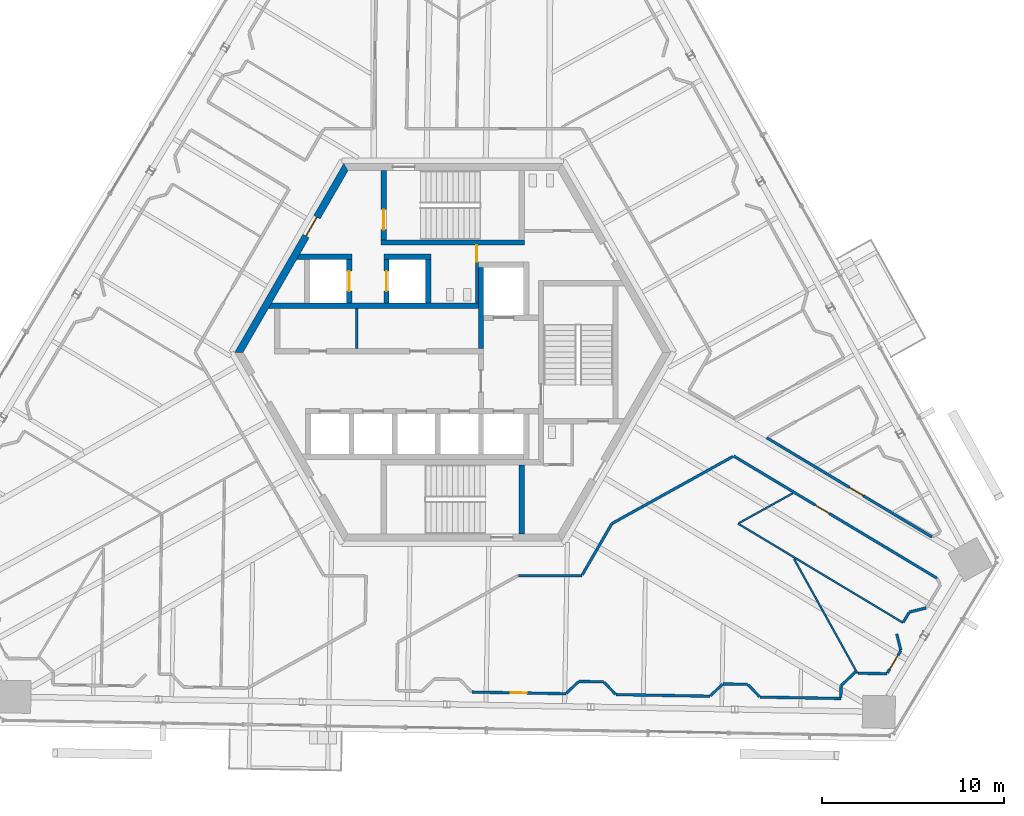
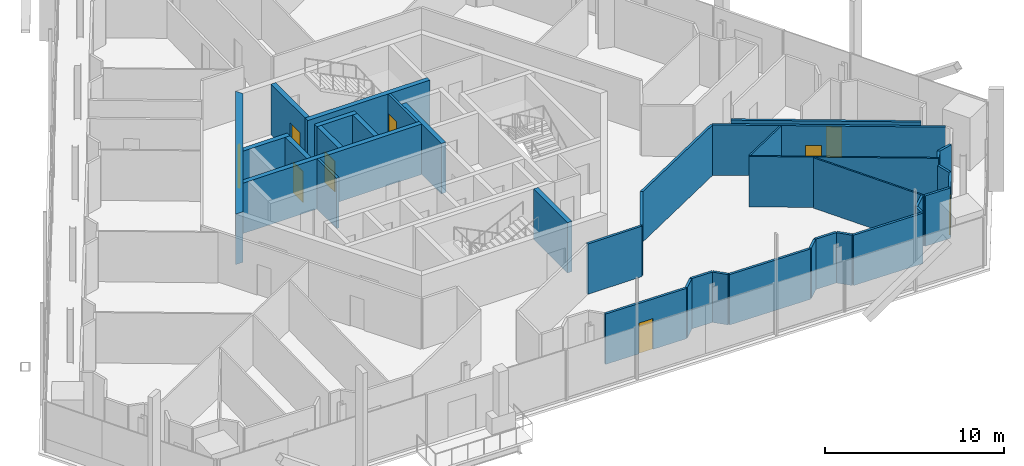
# One storey, part 13 of 22: 37 walls, 9 doors, 9 openings.
"""IFC4 building model written with IfcOpenShell, lengths in metres."""

from ifc_helpers import new_model, si_unit, direction, frame, frame_2d, origin, place, context, subcontext, project, spatial, polyline, rectangle, outline, extrude, source, transform, mapped, material, layer, layer_set, type_object, element, fill, save


model = new_model("IFC4")

# Units and contexts
model_context = context("Model", 3, precision=1e-05, world=origin(), true_north=direction((0.0, 1.0)))
body_context = subcontext(model_context, "Body", "Model", "MODEL_VIEW")
ifc_project = project(units=[si_unit("LENGTHUNIT", "METRE"), si_unit("AREAUNIT", "SQUARE_METRE"), si_unit("VOLUMEUNIT", "CUBIC_METRE"), si_unit("PLANEANGLEUNIT", "RADIAN"), si_unit("MASSUNIT", "GRAM", prefix="KILO")], contexts=[model_context])

# Site, building, storey
site_placement = place(None, origin())
site = spatial("IfcSite", under=ifc_project, at=site_placement, CompositionType="ELEMENT")
building_placement = place(site_placement, origin())
building = spatial("IfcBuilding", under=site, at=building_placement, Name="Triune Harvest Tower", CompositionType="ELEMENT")
storey_placement = place(building_placement, frame((0.0, 0.0, 208.699951171875)))
storey = spatial("IfcBuildingStorey", under=building, at=storey_placement, Name="L54", CompositionType="ELEMENT", Elevation=208.699951171875)

# Wall, opening, door
ifc_material_1 = material(Name="Gypsum board on steel studs", Category="steel")
ifc_layer_1 = layer(ifc_material_1, 0.14990234375)
ifc_layer_set_1 = layer_set([ifc_layer_1], Name="Gypsum board on steel studs")
wall_type_1 = type_object("IfcWallType", Name="Fire Partition 150 mm", PredefinedType="PARTITIONING", material=ifc_layer_set_1)
wall_1_placement = place(storey_placement, frame((15.454345703125, -5.71142578125, 0.0), z_axis=(0.0, 0.0, 1.0), x_axis=(0.857162478367, -0.515046100538, 0.0)))
wall_1 = element("IfcWall", 1, at=wall_1_placement, inside=storey, type_object=wall_type_1, Name="Partition L54 041", PredefinedType="PARTITIONING", context=body_context, shape_type="SweptSolid", body=[
    extrude(rectangle(XDim=13.044921875, YDim=0.14990234375, at=frame_2d((6.5224609375, 0.0))), origin(), (0.0, 0.0, 1.0), 3.43994140625),
])
opening_1_placement = place(wall_1_placement, frame((5.2373046875, 0.0, 0.0)))
opening_1 = element("IfcOpeningElement", 2, at=opening_1_placement, cuts=wall_1, Name="Opening L54-025", PredefinedType="OPENING", context=body_context, shape_type="SweptSolid", body=[
    extrude(rectangle(XDim=0.89990234375, YDim=2.10009765625, at=frame_2d((0.449951171875, 1.050048828125))), frame((0.0, 0.0849609375, 0.0), z_axis=(0.0, -1.0, 0.0), x_axis=(1.0, 0.0, 0.0)), (0.0, 0.0, 1.0), 0.169921875),
])
ifc_material_2 = material(Name="Timber and steel door set", Category="steel")
door_type_1 = type_object("IfcDoorType", Name="Single leaf door FD30 right hand 900 x 2100", OperationType="SINGLE_SWING_RIGHT", PredefinedType="DOOR", material=ifc_material_2)
door_1_placement = place(opening_1_placement, origin())
door_1 = element("IfcDoor", 3, at=door_1_placement, inside=storey, type_object=door_type_1, Name="Door L54-025 Meeting Room 54.25", OperationType="SINGLE_SWING_RIGHT", OverallHeight=2.10009765625, OverallWidth=0.89990234375, PredefinedType="DOOR", context=body_context, shape_type="SweptSolid", body=[
    extrude(rectangle(XDim=0.89990234375, YDim=2.10009765625, at=frame_2d((0.449951171875, 1.050048828125))), frame((0.0, 0.02490234375, 0.0), z_axis=(0.0, -1.0, 0.0), x_axis=(1.0, 0.0, 0.0)), (0.0, 0.0, 1.0), 0.050048828125),
])
fill(opening_1, door_1)

wall_2_placement = place(storey_placement, frame((17.272216796875, -4.7041015625, 0.0), z_axis=(0.0, 0.0, 1.0), x_axis=(0.857169939622, -0.515033682985, 0.0)))
wall_2 = element("IfcWall", 4, at=wall_2_placement, inside=storey, type_object=wall_type_1, Name="Partition L54 044", PredefinedType="PARTITIONING", context=body_context, shape_type="SweptSolid", body=[
    extrude(rectangle(XDim=10.610107421875, YDim=0.14990234375, at=frame_2d((5.30517578125, 0.0))), origin(), (0.0, 0.0, 1.0), 2.51806640625),
])
opening_2_placement = place(wall_2_placement, frame((5.298828125, 0.0, 0.0)))
opening_2 = element("IfcOpeningElement", 5, at=opening_2_placement, cuts=wall_2, Name="Opening L54-001", PredefinedType="OPENING", context=body_context, shape_type="SweptSolid", body=[
    extrude(rectangle(XDim=0.89990234375, YDim=2.10009765625, at=frame_2d((0.449951171875, 1.050048828125))), frame((0.0, 0.0849609375, 0.0), z_axis=(0.0, -1.0, 0.0), x_axis=(1.0, 0.0, 0.0)), (0.0, 0.0, 1.0), 0.169921875),
])
door_2_placement = place(opening_2_placement, origin())
door_2 = element("IfcDoor", 6, at=door_2_placement, inside=storey, type_object=door_type_1, Name="Door L54-001 Office 54.01", OperationType="SINGLE_SWING_RIGHT", OverallHeight=2.10009765625, OverallWidth=0.89990234375, PredefinedType="DOOR", context=body_context, shape_type="SweptSolid", body=[
    extrude(rectangle(XDim=0.89990234375, YDim=2.10009765625, at=frame_2d((0.449951171875, 1.050048828125))), frame((0.0, 0.02490234375, 0.0), z_axis=(0.0, -1.0, 0.0), x_axis=(1.0, 0.0, 0.0)), (0.0, 0.0, 1.0), 0.050048828125),
])
fill(opening_2, door_2)

# Walls
wall_3_placement = place(storey_placement, frame((3.602294921875, -12.292236328125, 0.0), z_axis=(0.0, 0.0, 1.0), x_axis=(1.0, 0.0, 0.0)))
element("IfcWall", 7, at=wall_3_placement, inside=storey, type_object=wall_type_1, Name="Partition L54 072", PredefinedType="PARTITIONING", context=body_context, shape_type="SweptSolid", body=[
    extrude(rectangle(XDim=3.49462890625, YDim=0.14990234375, at=frame_2d((1.747314453125, 0.0))), origin(), (0.0, 0.0, 1.0), 3.43994140625),
])
wall_4_placement = place(storey_placement, frame((8.751220703125, -9.42724609375, 0.0), z_axis=(0.0, 0.0, 1.0), x_axis=(0.874610647521, 0.48482596387, 0.0)))
element("IfcWall", 8, at=wall_4_placement, inside=storey, type_object=wall_type_1, Name="Partition L54 085", PredefinedType="PARTITIONING", context=body_context, shape_type="SweptSolid", body=[
    extrude(rectangle(XDim=7.61376953125, YDim=0.14990234375, at=frame_2d((3.806884765625, 0.0))), origin(), (0.0, 0.0, 1.0), 3.43994140625),
])
wall_5_placement = place(storey_placement, frame((21.359619140625, -18.351318359375, 0.0), z_axis=(0.0, 0.0, 1.0), x_axis=(0.71939389991, 0.694602344347, 0.0)))
element("IfcWall", 9, at=wall_5_placement, inside=storey, type_object=wall_type_1, Name="Partition L54 095", PredefinedType="PARTITIONING", context=body_context, shape_type="SweptSolid", body=[
    extrude(rectangle(XDim=1.11279296875, YDim=0.14990234375, at=frame_2d((0.556396484375, 0.0))), origin(), (0.0, 0.0, 1.0), 3.43994140625),
])

# Wall, opening, door
wall_6_placement = place(storey_placement, frame((23.912109375, -17.646484375, 0.0), z_axis=(0.0, 0.0, 1.0), x_axis=(0.514970243734, 0.857208054132, 0.0)))
wall_6 = element("IfcWall", 10, at=wall_6_placement, inside=storey, type_object=wall_type_1, Name="Partition L54 101", PredefinedType="PARTITIONING", context=body_context, shape_type="SweptSolid", body=[
    extrude(rectangle(XDim=1.4375, YDim=0.14990234375, at=frame_2d((0.71875, 0.0))), origin(), (0.0, 0.0, 1.0), 3.43994140625),
])
opening_3_placement = place(wall_6_placement, frame((0.237060546875, 0.0, 0.0)))
opening_3 = element("IfcOpeningElement", 11, at=opening_3_placement, cuts=wall_6, Name="Opening L54-024", PredefinedType="OPENING", context=body_context, shape_type="SweptSolid", body=[
    extrude(rectangle(XDim=0.89990234375, YDim=2.10009765625, at=frame_2d((0.449951171875, 1.050048828125))), frame((0.0, 0.0849609375, 0.0), z_axis=(0.0, -1.0, 0.0), x_axis=(1.0, 0.0, 0.0)), (0.0, 0.0, 1.0), 0.169921875),
])
ifc_material_3 = material(Name="Timber and steel door set", Category="steel")
door_type_2 = type_object("IfcDoorType", Name="Single leaf door FD30 left hand 900 x 2100", OperationType="SINGLE_SWING_LEFT", PredefinedType="DOOR", material=ifc_material_3)
door_3_placement = place(opening_3_placement, origin())
door_3 = element("IfcDoor", 12, at=door_3_placement, inside=storey, type_object=door_type_2, Name="Door L54-024 Pantry 54.24", OperationType="SINGLE_SWING_LEFT", OverallHeight=2.10009765625, OverallWidth=0.89990234375, PredefinedType="DOOR", context=body_context, shape_type="SweptSolid", body=[
    extrude(rectangle(XDim=0.89990234375, YDim=2.10009765625, at=frame_2d((0.449951171875, 1.050048828125))), frame((0.0, 0.02490234375, 0.0), z_axis=(0.0, -1.0, 0.0), x_axis=(1.0, 0.0, 0.0)), (0.0, 0.0, 1.0), 0.050048828125),
])
fill(opening_3, door_3)

# Walls
wall_7_placement = place(storey_placement, frame((24.78173828125, -14.861572265625, 0.0), z_axis=(0.0, 0.0, 1.0), x_axis=(0.514951190303, 0.857219500248, 0.0)))
element("IfcWall", 13, at=wall_7_placement, inside=storey, type_object=wall_type_1, Name="Partition L54 103", PredefinedType="PARTITIONING", context=body_context, shape_type="SweptSolid", body=[
    extrude(rectangle(XDim=0.630615234375, YDim=0.14990234375, at=frame_2d((0.3154296875, 0.0))), origin(), (0.0, 0.0, 1.0), 3.43994140625),
])
wall_8_placement = place(storey_placement, frame((7.122314453125, -12.248779296875, 0.0), z_axis=(0.0, 0.0, 1.0), x_axis=(0.500031372725, 0.866007289976, 0.0)))
element("IfcWall", 14, at=wall_8_placement, inside=storey, type_object=wall_type_1, Name="Partition L54 118", PredefinedType="PARTITIONING", context=body_context, shape_type="SweptSolid", body=[
    extrude(rectangle(XDim=3.238037109375, YDim=0.14990234375, at=frame_2d((1.619140625, 0.0))), origin(), (0.0, 0.0, 1.0), 3.43994140625),
])
wall_9_placement = place(storey_placement, frame((21.348388671875, -18.99267578125, 0.0), z_axis=(0.0, 0.0, 1.0), x_axis=(0.017569172767, 0.999845650172, 0.0)))
element("IfcWall", 15, at=wall_9_placement, inside=storey, type_object=wall_type_1, Name="Partition L54 128", PredefinedType="PARTITIONING", context=body_context, shape_type="SweptSolid", body=[
    extrude(rectangle(XDim=0.611328125, YDim=0.14990234375, at=frame_2d((0.3056640625, 0.0))), origin(), (0.0, 0.0, 1.0), 3.43994140625),
])
ifc_material_4 = material(Name="Gypsum board on steel studs", Category="steel")
ifc_layer_2 = layer(ifc_material_4, 0.10009765625)
ifc_layer_set_2 = layer_set([ifc_layer_2], Name="Gypsum board on steel studs")
wall_type_2 = type_object("IfcWallType", Name="Partition 100 mm", PredefinedType="PARTITIONING", material=ifc_layer_set_2)
wall_10_placement = place(storey_placement, frame((18.772705078125, -11.367431640625, 0.0), z_axis=(0.0, 0.0, 1.0), x_axis=(0.484781400412, -0.874635349054, 0.0)))
element("IfcWall", 16, at=wall_10_placement, inside=storey, type_object=wall_type_2, Name="Partition L54 012", PredefinedType="PARTITIONING", context=body_context, shape_type="SweptSolid", body=[
    extrude(rectangle(XDim=7.196044921875, YDim=0.10009765625, at=frame_2d((3.59814453125, 0.0))), origin(), (0.0, 0.0, 1.0), 3.43994140625),
])
wall_11_placement = place(storey_placement, frame((15.6923828125, -9.428955078125, 0.0), z_axis=(0.0, 0.0, 1.0), x_axis=(0.857148930211, -0.515068647306, 0.0)))
element("IfcWall", 17, at=wall_11_placement, inside=storey, type_object=wall_type_2, Name="Partition L54 039", PredefinedType="PARTITIONING", context=body_context, shape_type="SweptSolid", body=[
    extrude(rectangle(XDim=10.589111328125, YDim=0.10009765625, at=frame_2d((5.29443359375, 0.0))), origin(), (0.0, 0.0, 1.0), 3.43994140625),
])
wall_12_placement = place(storey_placement, frame((15.753662109375, -9.39501953125, 0.0), z_axis=(0.0, 0.0, 1.0), x_axis=(0.874610323923, 0.48482654763, 0.0)))
element("IfcWall", 18, at=wall_12_placement, inside=storey, type_object=wall_type_2, Name="Partition L54 082", PredefinedType="PARTITIONING", context=body_context, shape_type="SweptSolid", body=[
    extrude(rectangle(XDim=3.3779296875, YDim=0.10009765625, at=frame_2d((1.68896484375, 0.0))), origin(), (0.0, 0.0, 1.0), 3.43994140625),
])

# Wall, opening, door
ifc_material_5 = material(Name="Concrete 70 MPa", Category="concrete")
ifc_layer_3 = layer(ifc_material_5, 0.39990234375)
ifc_layer_set_3 = layer_set([ifc_layer_3], Name="Concrete 70 MPa")
wall_type_3 = type_object("IfcWallType", Name="Core wall 400", PredefinedType="SHEAR", material=ifc_layer_set_3)
shared_shape_1 = source(origin(), body_context, "Body", "SweptSolid", [
    extrude(outline(polyline([(-0.115478515625, -0.199951171875), (11.884521484375, -0.199951171875), (11.653564453125, 0.199951171875), (0.115478515625, 0.199951171875), (-0.115478515625, -0.199951171875)])), origin(), (0.0, 0.0, 1.0), 3.43994140625),
])
wall_13_placement = place(storey_placement, frame((-5.884521484375, 10.1923828125, 0.0), z_axis=(0.0, 0.0, 1.0), x_axis=(-0.499996592174, -0.866027371285, 0.0)))
wall_13 = element("IfcWall", 19, at=wall_13_placement, inside=storey, type_object=wall_type_3, Name="Hexagon 2 wall", PredefinedType="SHEAR", context=body_context, shape_type="MappedRepresentation", body=[
    mapped(shared_shape_1, transform((0.0, 0.0, 0.0), scale=1.0)),
])
opening_4_placement = place(wall_13_placement, frame((3.1845703125, 0.0, 0.0)))
opening_4 = element("IfcOpeningElement", 20, at=opening_4_placement, cuts=wall_13, Name="Opening CD-SVP", PredefinedType="OPENING", context=body_context, shape_type="SweptSolid", body=[
    extrude(rectangle(XDim=1.199951171875, YDim=2.10009765625, at=frame_2d((0.60009765625, 1.050048828125))), frame((0.0, 0.2099609375, 0.0), z_axis=(0.0, -1.0, 0.0), x_axis=(1.0, 0.0, 0.0)), (0.0, 0.0, 1.0), 0.419921875),
])
ifc_material_6 = material(Name="Steel S235", Category="steel")
door_type_3 = type_object("IfcDoorType", Name="Service door 1200 FD120", OperationType="SINGLE_SWING_LEFT", PredefinedType="DOOR", material=ifc_material_6)
door_4_placement = place(opening_4_placement, frame((1.199951171875, 0.0, 0.0), z_axis=(0.0, 0.0, 1.0), x_axis=(-1.0, 0.0, 0.0)))
door_4 = element("IfcDoor", 21, at=door_4_placement, inside=storey, type_object=door_type_3, Name="Door CD-SVP", OperationType="SINGLE_SWING_RIGHT", OverallHeight=2.10009765625, OverallWidth=1.199951171875, PredefinedType="DOOR", context=body_context, shape_type="SweptSolid", body=[
    extrude(rectangle(XDim=1.199951171875, YDim=2.10009765625, at=frame_2d((0.60009765625, 1.050048828125))), frame((0.0, 0.02490234375, 0.0), z_axis=(0.0, -1.0, 0.0), x_axis=(1.0, 0.0, 0.0)), (0.0, 0.0, 1.0), 0.050048828125),
])
fill(opening_4, door_4)

# Walls
ifc_material_7 = material(Name="Concrete 70 MPa", Category="concrete")
ifc_layer_4 = layer(ifc_material_7, 0.300048828125)
ifc_layer_set_4 = layer_set([ifc_layer_4], Name="Concrete 70 MPa")
wall_type_4 = type_object("IfcWallType", Name="Core wall 300", PredefinedType="SHEAR", material=ifc_layer_set_4)
shared_shape_2 = source(origin(), body_context, "Body", "SweptSolid", [
    extrude(outline(polyline([(11.199951171875, -0.14990234375), (-0.34912109375, -0.14990234375), (-0.17578125, 0.14990234375), (11.199951171875, 0.14990234375), (11.199951171875, -0.14990234375)])), origin(), (0.0, 0.0, 1.0), 3.43994140625),
])
wall_14_placement = place(storey_placement, frame((-9.800048828125, 2.56005859375, 0.0), z_axis=(0.0, 0.0, 1.0), x_axis=(1.0, 0.0, 0.0)))
element("IfcWall", 22, at=wall_14_placement, inside=storey, type_object=wall_type_4, Name="North back wall", PredefinedType="SHEAR", context=body_context, shape_type="MappedRepresentation", body=[
    mapped(shared_shape_2, transform((0.0, 0.0, 0.0), scale=1.0)),
])
shared_shape_3 = source(origin(), body_context, "Body", "SweptSolid", [
    extrude(rectangle(XDim=4.449951171875, YDim=0.300048828125, at=frame_2d((2.22509765625, 0.0))), origin(), (0.0, 0.0, 1.0), 3.43994140625),
])
wall_15_placement = place(storey_placement, frame((1.550048828125, 0.2099609375, 0.0), z_axis=(0.0, 0.0, 1.0), x_axis=(0.0, 1.0, 0.0)))
element("IfcWall", 23, at=wall_15_placement, inside=storey, type_object=wall_type_4, Name="Ff1 west wall", PredefinedType="SHEAR", context=body_context, shape_type="MappedRepresentation", body=[
    mapped(shared_shape_3, transform((0.0, 0.0, 0.0), scale=1.0)),
])
shared_shape_4 = source(origin(), body_context, "Body", "SweptSolid", [
    extrude(rectangle(XDim=7.89990234375, YDim=0.300048828125, at=frame_2d((3.949951171875, 0.0))), origin(), (0.0, 0.0, 1.0), 3.43994140625),
])
wall_16_placement = place(storey_placement, frame((-3.949951171875, 6.0400390625, 0.0), z_axis=(0.0, 0.0, 1.0), x_axis=(1.0, 0.0, 0.0)))
element("IfcWall", 24, at=wall_16_placement, inside=storey, type_object=wall_type_4, Name="Stair n south wall", PredefinedType="SHEAR", context=body_context, shape_type="MappedRepresentation", body=[
    mapped(shared_shape_4, transform((0.0, 0.0, 0.0), scale=1.0)),
])

# Wall, opening, door
shared_shape_5 = source(origin(), body_context, "Body", "SweptSolid", [
    extrude(outline(polyline([(0.0, -0.14990234375), (0.0, 0.14990234375), (3.80419921875, 0.14990234375), (3.80419921875, -0.14990234375), (0.0, -0.14990234375)])), origin(), (0.0, 0.0, 1.0), 3.43994140625),
])
wall_17_placement = place(storey_placement, frame((-3.800048828125, 6.18994140625, 0.0), z_axis=(0.0, 0.0, 1.0), x_axis=(0.0, 1.0, 0.0)))
wall_17 = element("IfcWall", 25, at=wall_17_placement, inside=storey, type_object=wall_type_4, Name="Stair n west wall", PredefinedType="SHEAR", context=body_context, shape_type="MappedRepresentation", body=[
    mapped(shared_shape_5, transform((0.0, 0.0, 0.0), scale=1.0)),
])
opening_5_placement = place(wall_17_placement, frame((0.56005859375, 0.0, 0.0)))
opening_5 = element("IfcOpeningElement", 26, at=opening_5_placement, cuts=wall_17, Name="Opening CD-S1L", PredefinedType="OPENING", context=body_context, shape_type="SweptSolid", body=[
    extrude(rectangle(XDim=1.10009765625, YDim=2.10009765625, at=frame_2d((0.550048828125, 1.050048828125))), frame((0.0, 0.16015625, 0.0), z_axis=(0.0, -1.0, 0.0), x_axis=(1.0, 0.0, 0.0)), (0.0, 0.0, 1.0), 0.320068359375),
])
ifc_material_8 = material(Name="Steel S235", Category="steel")
door_type_4 = type_object("IfcDoorType", Name="Stair door 1100 FD120", OperationType="SINGLE_SWING_LEFT", PredefinedType="DOOR", material=ifc_material_8)
door_5_placement = place(opening_5_placement, frame((1.10009765625, 0.0, 0.0), z_axis=(0.0, 0.0, 1.0), x_axis=(-1.0, 0.0, 0.0)))
door_5 = element("IfcDoor", 27, at=door_5_placement, inside=storey, type_object=door_type_4, Name="Door CD-S1L", OperationType="SINGLE_SWING_RIGHT", OverallHeight=2.10009765625, OverallWidth=1.10009765625, PredefinedType="DOOR", context=body_context, shape_type="SweptSolid", body=[
    extrude(rectangle(XDim=1.10009765625, YDim=2.10009765625, at=frame_2d((0.550048828125, 1.050048828125))), frame((0.0, 0.02490234375, 0.0), z_axis=(0.0, -1.0, 0.0), x_axis=(1.0, 0.0, 0.0)), (0.0, 0.0, 1.0), 0.050048828125),
])
fill(opening_5, door_5)

# Walls
shared_shape_6 = source(origin(), body_context, "Body", "SweptSolid", [
    extrude(outline(polyline([(3.800048828125, -0.14990234375), (-0.00439453125, -0.14990234375), (-0.00439453125, 0.14990234375), (3.800048828125, 0.14990234375), (3.800048828125, -0.14990234375)])), origin(), (0.0, 0.0, 1.0), 3.43994140625),
])
wall_18_placement = place(storey_placement, frame((3.800048828125, -9.989990234375, 0.0), z_axis=(0.0, 0.0, 1.0), x_axis=(0.0, 1.0, 0.0)))
element("IfcWall", 28, at=wall_18_placement, inside=storey, type_object=wall_type_4, Name="Stair s east wall", PredefinedType="SHEAR", context=body_context, shape_type="MappedRepresentation", body=[
    mapped(shared_shape_6, transform((0.0, 0.0, 0.0), scale=1.0)),
])
shared_shape_7 = source(origin(), body_context, "Body", "SweptSolid", [
    extrude(outline(polyline([(2.60009765625, -0.14990234375), (-0.440185546875, -0.14990234375), (-0.26708984375, 0.14990234375), (2.60009765625, 0.14990234375), (2.60009765625, -0.14990234375)])), origin(), (0.0, 0.0, 1.0), 3.43994140625),
])
wall_19_placement = place(storey_placement, frame((-8.14990234375, 5.260009765625, 0.0), z_axis=(0.0, 0.0, 1.0), x_axis=(1.0, 0.0, 0.0)))
element("IfcWall", 29, at=wall_19_placement, inside=storey, type_object=wall_type_4, Name="Sv1 north wall", PredefinedType="SHEAR", context=body_context, shape_type="MappedRepresentation", body=[
    mapped(shared_shape_7, transform((0.0, 0.0, 0.0), scale=1.0)),
])

# Wall, opening, door
shared_shape_8 = source(origin(), body_context, "Body", "SweptSolid", [
    extrude(rectangle(XDim=2.400146484375, YDim=0.300048828125, at=frame_2d((1.2001953125, 0.0))), origin(), (0.0, 0.0, 1.0), 3.43994140625),
])
wall_20_placement = place(storey_placement, frame((-5.699951171875, 2.7099609375, 0.0), z_axis=(0.0, 0.0, 1.0), x_axis=(0.0, 1.0, 0.0)))
wall_20 = element("IfcWall", 30, at=wall_20_placement, inside=storey, type_object=wall_type_4, Name="Sv1 east wall", PredefinedType="SHEAR", context=body_context, shape_type="MappedRepresentation", body=[
    mapped(shared_shape_8, transform((0.0, 0.0, 0.0), scale=1.0)),
])
opening_6_placement = place(wall_20_placement, frame((0.64990234375, 0.0, 0.0)))
opening_6 = element("IfcOpeningElement", 31, at=opening_6_placement, cuts=wall_20, Name="Opening LD-SV1-54", PredefinedType="OPENING", context=body_context, shape_type="SweptSolid", body=[
    extrude(rectangle(XDim=1.10009765625, YDim=2.10009765625, at=frame_2d((0.550048828125, 1.050048828125))), frame((0.0, 0.16015625, 0.0), z_axis=(0.0, -1.0, 0.0), x_axis=(1.0, 0.0, 0.0)), (0.0, 0.0, 1.0), 0.320068359375),
])
ifc_material_9 = material(Name="Stainless steel AISI 304", Category="steel")
door_type_5 = type_object("IfcDoorType", Name="Landing door 1100 x 2100", OperationType="DOUBLE_DOOR_SLIDING", PredefinedType="DOOR", material=ifc_material_9)
door_6_placement = place(opening_6_placement, origin())
door_6 = element("IfcDoor", 32, at=door_6_placement, inside=storey, type_object=door_type_5, Name="Door LD-SV1-54", OperationType="DOUBLE_DOOR_SLIDING", OverallHeight=2.10009765625, OverallWidth=1.10009765625, PredefinedType="DOOR", context=body_context, shape_type="SweptSolid", body=[
    extrude(rectangle(XDim=1.10009765625, YDim=2.10009765625, at=frame_2d((0.550048828125, 1.050048828125))), frame((0.0, 0.02490234375, 0.0), z_axis=(0.0, -1.0, 0.0), x_axis=(1.0, 0.0, 0.0)), (0.0, 0.0, 1.0), 0.050048828125),
])
fill(opening_6, door_6)

wall_21_placement = place(storey_placement, frame((-3.64990234375, 2.7099609375, 0.0), z_axis=(0.0, 0.0, 1.0), x_axis=(0.0, 1.0, 0.0)))
wall_21 = element("IfcWall", 33, at=wall_21_placement, inside=storey, type_object=wall_type_4, Name="Sv2 west wall", PredefinedType="SHEAR", context=body_context, shape_type="MappedRepresentation", body=[
    mapped(shared_shape_8, transform((0.0, 0.0, 0.0), scale=1.0)),
])
opening_7_placement = place(wall_21_placement, frame((0.64990234375, 0.0, 0.0)))
opening_7 = element("IfcOpeningElement", 34, at=opening_7_placement, cuts=wall_21, Name="Opening LD-SV2-54", PredefinedType="OPENING", context=body_context, shape_type="SweptSolid", body=[
    extrude(rectangle(XDim=1.10009765625, YDim=2.10009765625, at=frame_2d((0.550048828125, 1.050048828125))), frame((0.0, 0.16015625, 0.0), z_axis=(0.0, -1.0, 0.0), x_axis=(1.0, 0.0, 0.0)), (0.0, 0.0, 1.0), 0.320068359375),
])
door_7_placement = place(opening_7_placement, origin())
door_7 = element("IfcDoor", 35, at=door_7_placement, inside=storey, type_object=door_type_5, Name="Door LD-SV2-54", OperationType="DOUBLE_DOOR_SLIDING", OverallHeight=2.10009765625, OverallWidth=1.10009765625, PredefinedType="DOOR", context=body_context, shape_type="SweptSolid", body=[
    extrude(rectangle(XDim=1.10009765625, YDim=2.10009765625, at=frame_2d((0.550048828125, 1.050048828125))), frame((0.0, 0.02490234375, 0.0), z_axis=(0.0, -1.0, 0.0), x_axis=(1.0, 0.0, 0.0)), (0.0, 0.0, 1.0), 0.050048828125),
])
fill(opening_7, door_7)

# Walls
wall_22_placement = place(storey_placement, frame((-1.35009765625, 2.7099609375, 0.0), z_axis=(0.0, 0.0, 1.0), x_axis=(0.0, 1.0, 0.0)))
element("IfcWall", 36, at=wall_22_placement, inside=storey, type_object=wall_type_4, Name="Sv2 east wall", PredefinedType="SHEAR", context=body_context, shape_type="MappedRepresentation", body=[
    mapped(shared_shape_8, transform((0.0, 0.0, 0.0), scale=1.0)),
])
shared_shape_9 = source(origin(), body_context, "Body", "SweptSolid", [
    extrude(rectangle(XDim=2.60009765625, YDim=0.300048828125, at=frame_2d((1.300048828125, 0.0))), origin(), (0.0, 0.0, 1.0), 3.43994140625),
])
wall_23_placement = place(storey_placement, frame((-3.800048828125, 5.260009765625, 0.0), z_axis=(0.0, 0.0, 1.0), x_axis=(1.0, 0.0, 0.0)))
element("IfcWall", 37, at=wall_23_placement, inside=storey, type_object=wall_type_4, Name="Sv2 north wall", PredefinedType="SHEAR", context=body_context, shape_type="MappedRepresentation", body=[
    mapped(shared_shape_9, transform((0.0, 0.0, 0.0), scale=1.0)),
])

# Wall, opening, door
ifc_material_10 = material(Name="Concrete masonry unit", Category="masonry")
ifc_layer_5 = layer(ifc_material_10, 0.14990234375)
ifc_layer_set_5 = layer_set([ifc_layer_5], Name="Concrete masonry unit")
wall_type_5 = type_object("IfcWallType", Name="Block partition 150 unrated", PredefinedType="PARTITIONING", material=ifc_layer_set_5)
shared_shape_10 = source(origin(), body_context, "Body", "SweptSolid", [
    extrude(rectangle(XDim=3.179931640625, YDim=0.14990234375, at=frame_2d((1.58984375, 0.0))), origin(), (0.0, 0.0, 1.0), 3.43994140625),
])
wall_24_placement = place(storey_placement, frame((1.324951171875, 2.7099609375, 0.0), z_axis=(0.0, 0.0, 1.0), x_axis=(0.0, 1.0, 0.0)))
wall_24 = element("IfcWall", 38, at=wall_24_placement, inside=storey, type_object=wall_type_5, Name="Wc men east wall", PredefinedType="PARTITIONING", context=body_context, shape_type="MappedRepresentation", body=[
    mapped(shared_shape_10, transform((0.0, 0.0, 0.0), scale=1.0)),
])
opening_8_placement = place(wall_24_placement, frame((2.264892578125, 0.0, 0.0)))
opening_8 = element("IfcOpeningElement", 39, at=opening_8_placement, cuts=wall_24, Name="Opening CD-WM", PredefinedType="OPENING", context=body_context, shape_type="SweptSolid", body=[
    extrude(rectangle(XDim=0.89990234375, YDim=2.10009765625, at=frame_2d((0.449951171875, 1.050048828125))), frame((0.0, 0.0849609375, 0.0), z_axis=(0.0, -1.0, 0.0), x_axis=(1.0, 0.0, 0.0)), (0.0, 0.0, 1.0), 0.169921875),
])
ifc_material_11 = material(Name="Timber C24", Category="wood")
door_type_6 = type_object("IfcDoorType", Name="WC door 900", OperationType="SINGLE_SWING_LEFT", PredefinedType="DOOR", material=ifc_material_11)
door_8_placement = place(opening_8_placement, origin())
door_8 = element("IfcDoor", 40, at=door_8_placement, inside=storey, type_object=door_type_6, Name="Door CD-WM", OperationType="SINGLE_SWING_LEFT", OverallHeight=2.10009765625, OverallWidth=0.89990234375, PredefinedType="DOOR", context=body_context, shape_type="SweptSolid", body=[
    extrude(rectangle(XDim=0.89990234375, YDim=2.10009765625, at=frame_2d((0.449951171875, 1.050048828125))), frame((0.0, 0.02490234375, 0.0), z_axis=(0.0, -1.0, 0.0), x_axis=(1.0, 0.0, 0.0)), (0.0, 0.0, 1.0), 0.050048828125),
])
fill(opening_8, door_8)

# Walls
ifc_material_12 = material(Name="Concrete masonry unit", Category="masonry")
ifc_layer_6 = layer(ifc_material_12, 0.14990234375)
ifc_layer_set_6 = layer_set([ifc_layer_6], Name="Concrete masonry unit")
wall_type_6 = type_object("IfcWallType", Name="Block partition 150", PredefinedType="PARTITIONING", material=ifc_layer_set_6)
shared_shape_11 = source(origin(), body_context, "Body", "SweptSolid", [
    extrude(rectangle(XDim=2.199951171875, YDim=0.14990234375, at=frame_2d((1.10009765625, 0.0))), origin(), (0.0, 0.0, 1.0), 3.43994140625),
])
wall_25_placement = place(storey_placement, frame((-5.280029296875, 0.2099609375, 0.0), z_axis=(0.0, 0.0, 1.0), x_axis=(0.0, 1.0, 0.0)))
element("IfcWall", 41, at=wall_25_placement, inside=storey, type_object=wall_type_6, Name="Row n part 1 wall", PredefinedType="PARTITIONING", context=body_context, shape_type="MappedRepresentation", body=[
    mapped(shared_shape_11, transform((0.0, 0.0, 0.0), scale=1.0)),
])
shared_shape_12 = source(origin(), body_context, "Body", "SweptSolid", [
    extrude(rectangle(XDim=0.9140625, YDim=0.14990234375, at=frame_2d((0.45703125, 0.0))), origin(), (0.0, 0.0, 1.0), 3.43994140625),
])
for number, where, z_axis, x_axis, name in (
    (42, (24.423828125, -15.49853515625, 0.0), (0.0, 0.0, 1.0), (0.241718550758, -0.970346403208, 0.0), "Partition L54 007"),
    (43, (8.3173828125, -18.157470703125, 0.0), (0.0, 0.0, 1.0), (0.694713669559, -0.719286394511, 0.0), "Partition L54 032"),
    (44, (16.243408203125, -18.2958984375, 0.0), (0.0, 0.0, 1.0), (0.694713669559, -0.719286394511, 0.0), "Partition L54 033"),
    (45, (14.174560546875, -18.90625, 0.0), (0.0, 0.0, 1.0), (0.719286394511, 0.694713669559, 0.0), "Partition L54 096"),
    (46, (6.24853515625, -18.767822265625, 0.0), (0.0, 0.0, 1.0), (0.719286394511, 0.694713669559, 0.0), "Partition L54 097"),
):
    element("IfcWall", number, at=place(storey_placement, frame(where, z_axis=z_axis, x_axis=x_axis)), inside=storey, type_object=wall_type_1, Name=name, PredefinedType="PARTITIONING", context=body_context, shape_type="MappedRepresentation", body=[
        mapped(shared_shape_12, transform((0.0, 0.0, 0.0), scale=1.0)),
    ])

# Wall, opening, door
shared_shape_13 = source(origin(), body_context, "Body", "SweptSolid", [
    extrude(rectangle(XDim=5.1806640625, YDim=0.14990234375, at=frame_2d((2.59033203125, 0.0))), origin(), (0.0, 0.0, 1.0), 3.43994140625),
])
wall_26_placement = place(storey_placement, frame((1.047119140625, -18.6982421875, 0.0), z_axis=(0.0, 0.0, 1.0), x_axis=(0.999847977995, -0.01743619512, 0.0)))
wall_26 = element("IfcWall", 47, at=wall_26_placement, inside=storey, type_object=wall_type_1, Name="Partition L54 059", PredefinedType="PARTITIONING", context=body_context, shape_type="MappedRepresentation", body=[
    mapped(shared_shape_13, transform((0.0, 0.0, 0.0), scale=1.0)),
])
opening_9_placement = place(wall_26_placement, frame((2.130859375, 0.0, 0.0)))
opening_9 = element("IfcOpeningElement", 48, at=opening_9_placement, cuts=wall_26, Name="Opening L54-023", PredefinedType="OPENING", context=body_context, shape_type="SweptSolid", body=[
    extrude(rectangle(XDim=0.89990234375, YDim=2.10009765625, at=frame_2d((0.449951171875, 1.050048828125))), frame((0.0, 0.0849609375, 0.0), z_axis=(0.0, -1.0, 0.0), x_axis=(1.0, 0.0, 0.0)), (0.0, 0.0, 1.0), 0.169921875),
])
door_9_placement = place(opening_9_placement, origin())
door_9 = element("IfcDoor", 49, at=door_9_placement, inside=storey, type_object=door_type_2, Name="Door L54-023 Open Office 54.23", OperationType="SINGLE_SWING_LEFT", OverallHeight=2.10009765625, OverallWidth=0.89990234375, PredefinedType="DOOR", context=body_context, shape_type="SweptSolid", body=[
    extrude(rectangle(XDim=0.89990234375, YDim=2.10009765625, at=frame_2d((0.449951171875, 1.050048828125))), frame((0.0, 0.02490234375, 0.0), z_axis=(0.0, -1.0, 0.0), x_axis=(1.0, 0.0, 0.0)), (0.0, 0.0, 1.0), 0.050048828125),
])
fill(opening_9, door_9)

# Walls
shared_shape_14 = source(origin(), body_context, "Body", "SweptSolid", [
    extrude(rectangle(XDim=5.180419921875, YDim=0.14990234375, at=frame_2d((2.59033203125, 0.0))), origin(), (0.0, 0.0, 1.0), 3.43994140625),
])
wall_27_placement = place(storey_placement, frame((8.97314453125, -18.83642578125, 0.0), z_axis=(0.0, 0.0, 1.0), x_axis=(0.999847963667, -0.017437016712, 0.0)))
element("IfcWall", 50, at=wall_27_placement, inside=storey, type_object=wall_type_1, Name="Partition L54 060", PredefinedType="PARTITIONING", context=body_context, shape_type="MappedRepresentation", body=[
    mapped(shared_shape_14, transform((0.0, 0.0, 0.0), scale=1.0)),
])
shared_shape_15 = source(origin(), body_context, "Body", "SweptSolid", [
    extrude(rectangle(XDim=4.448974609375, YDim=0.14990234375, at=frame_2d((2.224609375, 0.0))), origin(), (0.0, 0.0, 1.0), 3.43994140625),
])
wall_28_placement = place(storey_placement, frame((16.899169921875, -18.974853515625, 0.0), z_axis=(0.0, 0.0, 1.0), x_axis=(0.999847725111, -0.017450690263, 0.0)))
element("IfcWall", 51, at=wall_28_placement, inside=storey, type_object=wall_type_1, Name="Partition L54 061", PredefinedType="PARTITIONING", context=body_context, shape_type="MappedRepresentation", body=[
    mapped(shared_shape_15, transform((0.0, 0.0, 0.0), scale=1.0)),
])
shared_shape_16 = source(origin(), body_context, "Body", "SweptSolid", [
    extrude(rectangle(XDim=1.368896484375, YDim=0.14990234375, at=frame_2d((0.6845703125, 0.0))), origin(), (0.0, 0.0, 1.0), 3.43994140625),
])
for number, where, z_axis, x_axis, name in (
    (52, (6.92724609375, -18.112060546875, 0.0), (0.0, 0.0, 1.0), (0.99984723761, -0.017478599587, 0.0), "Partition L54 064"),
    (53, (14.853271484375, -18.25, 0.0), (0.0, 0.0, 1.0), (0.99984723761, -0.017478599587, 0.0), "Partition L54 065"),
):
    element("IfcWall", number, at=place(storey_placement, frame(where, z_axis=z_axis, x_axis=x_axis)), inside=storey, type_object=wall_type_1, Name=name, PredefinedType="PARTITIONING", context=body_context, shape_type="MappedRepresentation", body=[
        mapped(shared_shape_16, transform((0.0, 0.0, 0.0), scale=1.0)),
    ])
shared_shape_17 = source(origin(), body_context, "Body", "SweptSolid", [
    extrude(rectangle(XDim=1.60498046875, YDim=0.14990234375, at=frame_2d((0.802490234375, 0.0))), origin(), (0.0, 0.0, 1.0), 3.43994140625),
])
wall_29_placement = place(storey_placement, frame((22.281982421875, -17.66064453125, 0.0), z_axis=(0.0, 0.0, 1.0), x_axis=(0.999846983336, -0.017493139066, 0.0)))
element("IfcWall", 54, at=wall_29_placement, inside=storey, type_object=wall_type_1, Name="Partition L54 067", PredefinedType="PARTITIONING", context=body_context, shape_type="MappedRepresentation", body=[
    mapped(shared_shape_17, transform((0.0, 0.0, 0.0), scale=1.0)),
])
shared_shape_18 = source(origin(), body_context, "Body", "SweptSolid", [
    extrude(rectangle(XDim=0.944091796875, YDim=0.14990234375, at=frame_2d((0.47216796875, 0.0))), origin(), (0.0, 0.0, 1.0), 3.43994140625),
])
wall_30_placement = place(storey_placement, frame((25.12158203125, -14.2958984375, 0.0), z_axis=(0.0, 0.0, 1.0), x_axis=(0.970324777347, 0.241805348299, 0.0)))
element("IfcWall", 55, at=wall_30_placement, inside=storey, type_object=wall_type_1, Name="Partition L54 075", PredefinedType="PARTITIONING", context=body_context, shape_type="MappedRepresentation", body=[
    mapped(shared_shape_18, transform((0.0, 0.0, 0.0), scale=1.0)),
])

save(model, "model.ifc")
